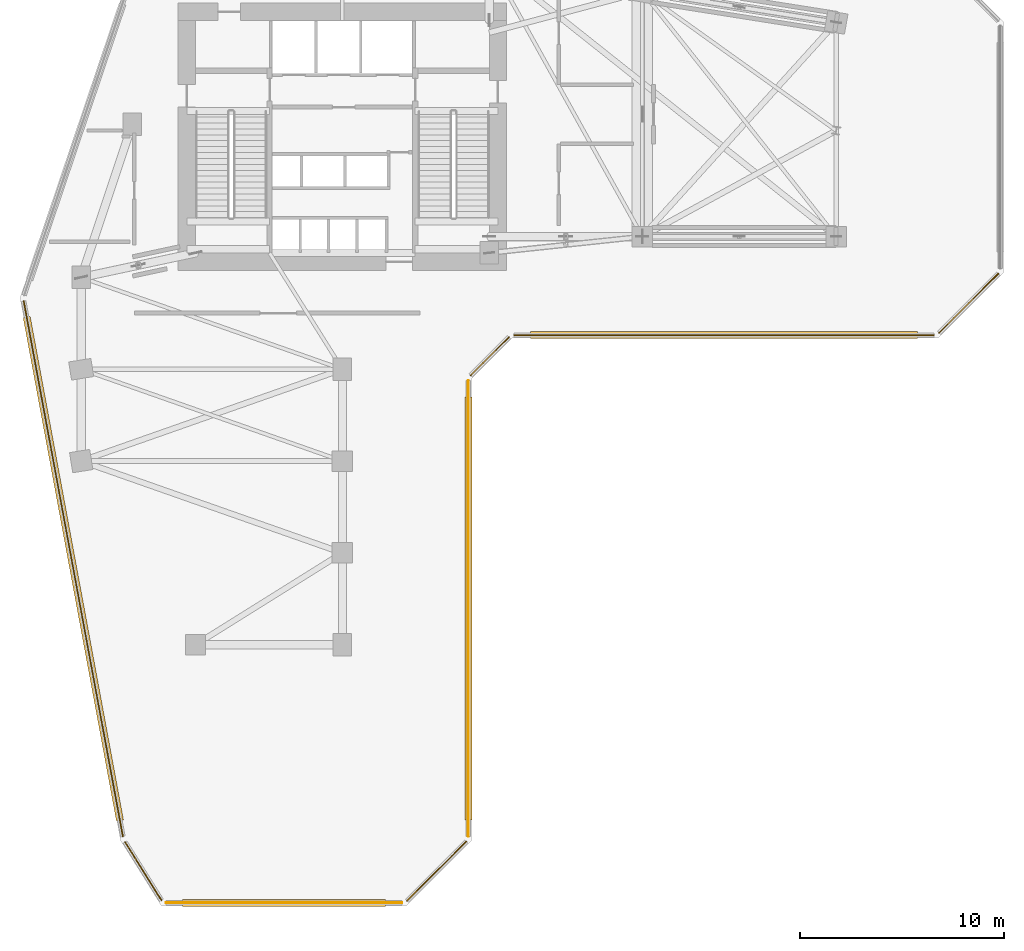
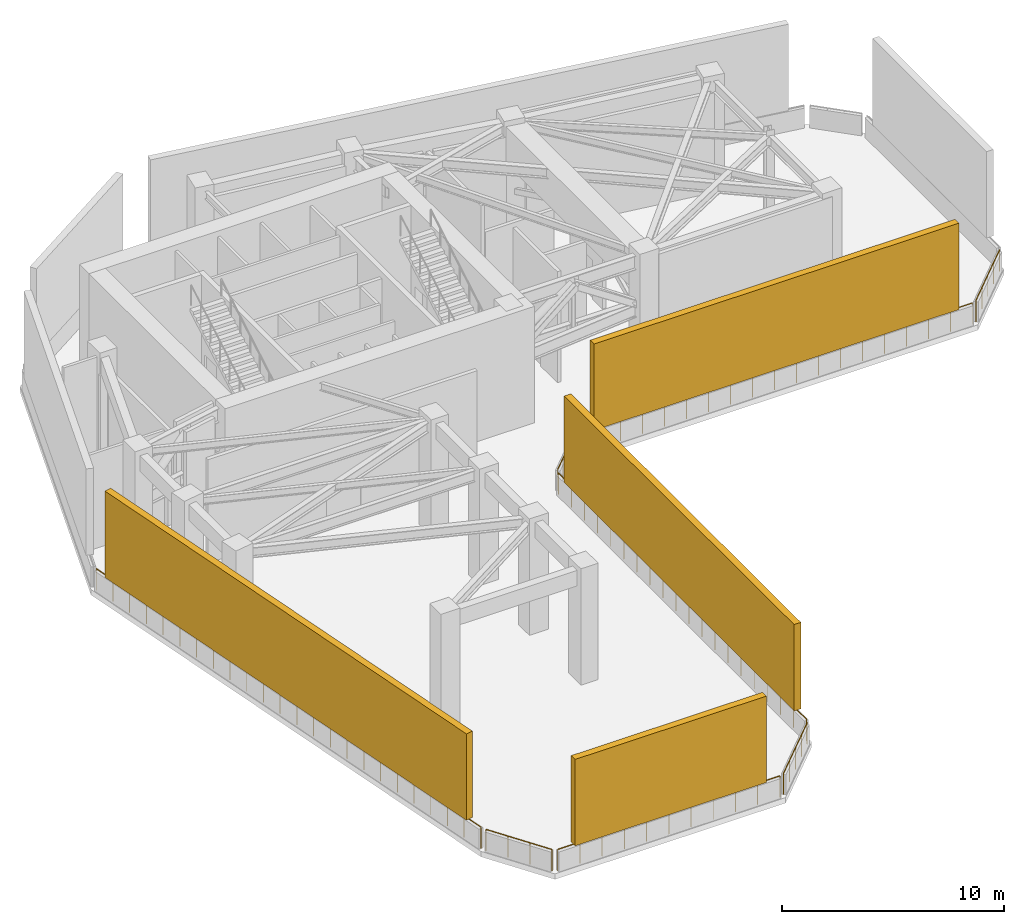
# One storey, part 8 of 10: 8 railings, 4 shading devices.
"""IFC4 building model written with IfcOpenShell, lengths in metres."""

from ifc_helpers import new_model, si_unit, direction, frame, frame_2d, origin, origin_2d, place, context, subcontext, project, spatial, rectangle, circle, extrude, material, type_object, element, save


model = new_model("IFC4")

# Units and contexts
model_context = context("Model", 3, precision=1e-05, world=origin(), true_north=direction((0.0, 1.0)))
body_context = subcontext(model_context, "Body", "Model", "MODEL_VIEW")
ifc_project = project(units=[si_unit("LENGTHUNIT", "METRE"), si_unit("AREAUNIT", "SQUARE_METRE"), si_unit("VOLUMEUNIT", "CUBIC_METRE"), si_unit("PLANEANGLEUNIT", "RADIAN"), si_unit("MASSUNIT", "GRAM", prefix="KILO")], contexts=[model_context])

# Site, building, storey
site_placement = place(None, origin())
site = spatial("IfcSite", under=ifc_project, at=site_placement, CompositionType="ELEMENT")
building_placement = place(site_placement, origin())
building = spatial("IfcBuilding", under=site, at=building_placement, Name="Calvemar Wedge Station Tower", CompositionType="ELEMENT")
storey_placement = place(building_placement, frame((0.0, 0.0, 99.0)))
storey = spatial("IfcBuildingStorey", under=building, at=storey_placement, Name="L24", CompositionType="ELEMENT", Elevation=99.0)

# Railings
ifc_material_1 = material(Name="Stainless steel AISI 316L", Category="steel")
railing_type = type_object("IfcRailingType", Name="GRD-WIND-1200", PredefinedType="GUARDRAIL", material=ifc_material_1)
railing_1_placement = place(storey_placement, frame((13.14990234375, 5.328125, 0.0)))
element("IfcRailing", 1, at=railing_1_placement, inside=storey, type_object=railing_type, Name="Wind Floor L24 Perimeter Safety Guard 1", PredefinedType="GUARDRAIL", context=body_context, shape_type="SweptSolid", body=[
    extrude(circle(Radius=0.02392578125, at=origin_2d()), frame((0.0, 0.0, 1.17578125), z_axis=(0.529992412204, -0.848002383845, 0.0), x_axis=(0.848002383845, 0.529992412204, 0.0)), (0.0, 0.0, 1.0), 3.36181640625),
    extrude(circle(Radius=0.02099609375, at=origin_2d()), origin(), (0.0, 0.0, 1.0), 1.15185546875),
    extrude(circle(Radius=0.02099609375, at=origin_2d()), frame((0.593994140625, -0.9501953125, 0.0)), (0.0, 0.0, 1.0), 1.15185546875),
    extrude(circle(Radius=0.02099609375, at=origin_2d()), frame((1.187744140625, -1.900634765625, 0.0)), (0.0, 0.0, 1.0), 1.15185546875),
    extrude(circle(Radius=0.02099609375, at=origin_2d()), frame((1.78173828125, -2.850830078125, 0.0)), (0.0, 0.0, 1.0), 1.15185546875),
])
railing_2_placement = place(storey_placement, frame((15.1611328125, 2.35009765625, 0.0)))
element("IfcRailing", 2, at=railing_2_placement, inside=storey, type_object=railing_type, Name="Wind Floor L24 Perimeter Safety Guard 2", PredefinedType="GUARDRAIL", context=body_context, shape_type="SweptSolid", body=[
    extrude(circle(Radius=0.02392578125, at=origin_2d()), frame((0.0, 0.0, 1.17578125), z_axis=(1.0, 0.0, 0.0), x_axis=(0.0, 1.0, 0.0)), (0.0, 0.0, 1.0), 11.5546875),
    extrude(circle(Radius=0.02099609375, at=origin_2d()), origin(), (0.0, 0.0, 1.0), 1.15185546875),
    extrude(circle(Radius=0.02099609375, at=origin_2d()), frame((1.155517578125, 0.0, 0.0)), (0.0, 0.0, 1.0), 1.15185546875),
    extrude(circle(Radius=0.02099609375, at=origin_2d()), frame((2.31103515625, 0.0, 0.0)), (0.0, 0.0, 1.0), 1.15185546875),
    extrude(circle(Radius=0.02099609375, at=origin_2d()), frame((3.46630859375, 0.0, 0.0)), (0.0, 0.0, 1.0), 1.15185546875),
    extrude(circle(Radius=0.02099609375, at=origin_2d()), frame((4.621826171875, 0.0, 0.0)), (0.0, 0.0, 1.0), 1.15185546875),
    extrude(circle(Radius=0.02099609375, at=origin_2d()), frame((5.77734375, 0.0, 0.0)), (0.0, 0.0, 1.0), 1.15185546875),
    extrude(circle(Radius=0.02099609375, at=origin_2d()), frame((6.932861328125, 0.0, 0.0)), (0.0, 0.0, 1.0), 1.15185546875),
    extrude(circle(Radius=0.02099609375, at=origin_2d()), frame((8.08837890625, 0.0, 0.0)), (0.0, 0.0, 1.0), 1.15185546875),
    extrude(circle(Radius=0.02099609375, at=origin_2d()), frame((9.24365234375, 0.0, 0.0)), (0.0, 0.0, 1.0), 1.15185546875),
    extrude(circle(Radius=0.02099609375, at=origin_2d()), frame((10.399169921875, 0.0, 0.0)), (0.0, 0.0, 1.0), 1.15185546875),
    extrude(circle(Radius=0.02099609375, at=origin_2d()), frame((11.5546875, 0.0, 0.0)), (0.0, 0.0, 1.0), 1.15185546875),
])
railing_3_placement = place(storey_placement, frame((26.971923828125, 2.4560546875, 0.0)))
element("IfcRailing", 3, at=railing_3_placement, inside=storey, type_object=railing_type, Name="Wind Floor L24 Perimeter Safety Guard 3", PredefinedType="GUARDRAIL", context=body_context, shape_type="SweptSolid", body=[
    extrude(circle(Radius=0.02392578125, at=origin_2d()), frame((0.0, 0.0, 1.17578125), z_axis=(0.707077016416, 0.707136544705, 0.0), x_axis=(-0.707136544705, 0.707077016416, 0.0)), (0.0, 0.0, 1.0), 4.101318359375),
    extrude(circle(Radius=0.02099609375, at=origin_2d()), origin(), (0.0, 0.0, 1.0), 1.15185546875),
    extrude(circle(Radius=0.02099609375, at=origin_2d()), frame((0.72509765625, 0.72509765625, 0.0)), (0.0, 0.0, 1.0), 1.15185546875),
    extrude(circle(Radius=0.02099609375, at=origin_2d()), frame((1.449951171875, 1.4501953125, 0.0)), (0.0, 0.0, 1.0), 1.15185546875),
    extrude(circle(Radius=0.02099609375, at=origin_2d()), frame((2.1748046875, 2.175048828125, 0.0)), (0.0, 0.0, 1.0), 1.15185546875),
    extrude(circle(Radius=0.02099609375, at=origin_2d()), frame((2.89990234375, 2.900146484375, 0.0)), (0.0, 0.0, 1.0), 1.15185546875),
])
railing_4_placement = place(storey_placement, frame((29.97802734375, 5.612060546875, 0.0)))
element("IfcRailing", 4, at=railing_4_placement, inside=storey, type_object=railing_type, Name="Wind Floor L24 Perimeter Safety Guard 4", PredefinedType="GUARDRAIL", context=body_context, shape_type="SweptSolid", body=[
    extrude(circle(Radius=0.02392578125, at=origin_2d()), frame((0.0, 0.0, 1.17578125), z_axis=(0.0, 1.0, 0.0), x_axis=(-1.0, 0.0, 0.0)), (0.0, 0.0, 1.0), 22.328125),
    extrude(circle(Radius=0.02099609375, at=origin_2d()), origin(), (0.0, 0.0, 1.0), 1.15185546875),
    extrude(circle(Radius=0.02099609375, at=origin_2d()), frame((0.0, 1.175048828125, 0.0)), (0.0, 0.0, 1.0), 1.15185546875),
    extrude(circle(Radius=0.02099609375, at=origin_2d()), frame((0.0, 2.350341796875, 0.0)), (0.0, 0.0, 1.0), 1.15185546875),
    extrude(circle(Radius=0.02099609375, at=origin_2d()), frame((0.0, 3.525390625, 0.0)), (0.0, 0.0, 1.0), 1.15185546875),
    extrude(circle(Radius=0.02099609375, at=origin_2d()), frame((0.0, 4.70068359375, 0.0)), (0.0, 0.0, 1.0), 1.15185546875),
    extrude(circle(Radius=0.02099609375, at=origin_2d()), frame((0.0, 5.875732421875, 0.0)), (0.0, 0.0, 1.0), 1.15185546875),
    extrude(circle(Radius=0.02099609375, at=origin_2d()), frame((0.0, 7.051025390625, 0.0)), (0.0, 0.0, 1.0), 1.15185546875),
    extrude(circle(Radius=0.02099609375, at=origin_2d()), frame((0.0, 8.22607421875, 0.0)), (0.0, 0.0, 1.0), 1.15185546875),
    extrude(circle(Radius=0.02099609375, at=origin_2d()), frame((0.0, 9.4013671875, 0.0)), (0.0, 0.0, 1.0), 1.15185546875),
    extrude(circle(Radius=0.02099609375, at=origin_2d()), frame((0.0, 10.576416015625, 0.0)), (0.0, 0.0, 1.0), 1.15185546875),
    extrude(circle(Radius=0.02099609375, at=origin_2d()), frame((0.0, 11.751708984375, 0.0)), (0.0, 0.0, 1.0), 1.15185546875),
    extrude(circle(Radius=0.02099609375, at=origin_2d()), frame((0.0, 12.9267578125, 0.0)), (0.0, 0.0, 1.0), 1.15185546875),
    extrude(circle(Radius=0.02099609375, at=origin_2d()), frame((0.0, 14.10205078125, 0.0)), (0.0, 0.0, 1.0), 1.15185546875),
    extrude(circle(Radius=0.02099609375, at=origin_2d()), frame((0.0, 15.277099609375, 0.0)), (0.0, 0.0, 1.0), 1.15185546875),
    extrude(circle(Radius=0.02099609375, at=origin_2d()), frame((0.0, 16.452392578125, 0.0)), (0.0, 0.0, 1.0), 1.15185546875),
    extrude(circle(Radius=0.02099609375, at=origin_2d()), frame((0.0, 17.62744140625, 0.0)), (0.0, 0.0, 1.0), 1.15185546875),
    extrude(circle(Radius=0.02099609375, at=origin_2d()), frame((0.0, 18.802734375, 0.0)), (0.0, 0.0, 1.0), 1.15185546875),
    extrude(circle(Radius=0.02099609375, at=origin_2d()), frame((0.0, 19.977783203125, 0.0)), (0.0, 0.0, 1.0), 1.15185546875),
    extrude(circle(Radius=0.02099609375, at=origin_2d()), frame((0.0, 21.153076171875, 0.0)), (0.0, 0.0, 1.0), 1.15185546875),
    extrude(circle(Radius=0.02099609375, at=origin_2d()), frame((0.0, 22.328125, 0.0)), (0.0, 0.0, 1.0), 1.15185546875),
])
railing_5_placement = place(storey_placement, frame((30.083984375, 28.1962890625, 0.0)))
element("IfcRailing", 5, at=railing_5_placement, inside=storey, type_object=railing_type, Name="Wind Floor L24 Perimeter Safety Guard 5", PredefinedType="GUARDRAIL", context=body_context, shape_type="SweptSolid", body=[
    extrude(circle(Radius=0.02392578125, at=origin_2d()), frame((0.0, 0.0, 1.17578125), z_axis=(0.707106781187, 0.707106781187, 0.0), x_axis=(-0.707106781187, 0.707106781187, 0.0)), (0.0, 0.0, 1.0), 2.652587890625),
    extrude(circle(Radius=0.02099609375, at=origin_2d()), origin(), (0.0, 0.0, 1.0), 1.15185546875),
    extrude(circle(Radius=0.02099609375, at=origin_2d()), frame((0.625244140625, 0.625244140625, 0.0)), (0.0, 0.0, 1.0), 1.15185546875),
    extrude(circle(Radius=0.02099609375, at=origin_2d()), frame((1.25048828125, 1.25048828125, 0.0)), (0.0, 0.0, 1.0), 1.15185546875),
    extrude(circle(Radius=0.02099609375, at=origin_2d()), frame((1.875732421875, 1.875732421875, 0.0)), (0.0, 0.0, 1.0), 1.15185546875),
])
railing_6_placement = place(storey_placement, frame((32.2158203125, 30.177978515625, 0.0)))
element("IfcRailing", 6, at=railing_6_placement, inside=storey, type_object=railing_type, Name="Wind Floor L24 Perimeter Safety Guard 6", PredefinedType="GUARDRAIL", context=body_context, shape_type="SweptSolid", body=[
    extrude(circle(Radius=0.02392578125, at=origin_2d()), frame((0.0, 0.0, 1.17578125), z_axis=(1.0, 0.0, 0.0), x_axis=(0.0, 1.0, 0.0)), (0.0, 0.0, 1.0), 20.572021484375),
    extrude(circle(Radius=0.02099609375, at=origin_2d()), origin(), (0.0, 0.0, 1.0), 1.15185546875),
    extrude(circle(Radius=0.02099609375, at=origin_2d()), frame((1.142822265625, 0.0, 0.0)), (0.0, 0.0, 1.0), 1.15185546875),
    extrude(circle(Radius=0.02099609375, at=origin_2d()), frame((2.285888671875, 0.0, 0.0)), (0.0, 0.0, 1.0), 1.15185546875),
    extrude(circle(Radius=0.02099609375, at=origin_2d()), frame((3.4287109375, 0.0, 0.0)), (0.0, 0.0, 1.0), 1.15185546875),
    extrude(circle(Radius=0.02099609375, at=origin_2d()), frame((4.571533203125, 0.0, 0.0)), (0.0, 0.0, 1.0), 1.15185546875),
    extrude(circle(Radius=0.02099609375, at=origin_2d()), frame((5.71435546875, 0.0, 0.0)), (0.0, 0.0, 1.0), 1.15185546875),
    extrude(circle(Radius=0.02099609375, at=origin_2d()), frame((6.857421875, 0.0, 0.0)), (0.0, 0.0, 1.0), 1.15185546875),
    extrude(circle(Radius=0.02099609375, at=origin_2d()), frame((8.000244140625, 0.0, 0.0)), (0.0, 0.0, 1.0), 1.15185546875),
    extrude(circle(Radius=0.02099609375, at=origin_2d()), frame((9.14306640625, 0.0, 0.0)), (0.0, 0.0, 1.0), 1.15185546875),
    extrude(circle(Radius=0.02099609375, at=origin_2d()), frame((10.2861328125, 0.0, 0.0)), (0.0, 0.0, 1.0), 1.15185546875),
    extrude(circle(Radius=0.02099609375, at=origin_2d()), frame((11.428955078125, 0.0, 0.0)), (0.0, 0.0, 1.0), 1.15185546875),
    extrude(circle(Radius=0.02099609375, at=origin_2d()), frame((12.57177734375, 0.0, 0.0)), (0.0, 0.0, 1.0), 1.15185546875),
    extrude(circle(Radius=0.02099609375, at=origin_2d()), frame((13.714599609375, 0.0, 0.0)), (0.0, 0.0, 1.0), 1.15185546875),
    extrude(circle(Radius=0.02099609375, at=origin_2d()), frame((14.857666015625, 0.0, 0.0)), (0.0, 0.0, 1.0), 1.15185546875),
    extrude(circle(Radius=0.02099609375, at=origin_2d()), frame((16.00048828125, 0.0, 0.0)), (0.0, 0.0, 1.0), 1.15185546875),
    extrude(circle(Radius=0.02099609375, at=origin_2d()), frame((17.143310546875, 0.0, 0.0)), (0.0, 0.0, 1.0), 1.15185546875),
    extrude(circle(Radius=0.02099609375, at=origin_2d()), frame((18.2861328125, 0.0, 0.0)), (0.0, 0.0, 1.0), 1.15185546875),
    extrude(circle(Radius=0.02099609375, at=origin_2d()), frame((19.42919921875, 0.0, 0.0)), (0.0, 0.0, 1.0), 1.15185546875),
    extrude(circle(Radius=0.02099609375, at=origin_2d()), frame((20.572021484375, 0.0, 0.0)), (0.0, 0.0, 1.0), 1.15185546875),
])
railing_7_placement = place(storey_placement, frame((53.0439453125, 30.2841796875, 0.0)))
element("IfcRailing", 7, at=railing_7_placement, inside=storey, type_object=railing_type, Name="Wind Floor L24 Perimeter Safety Guard 7", PredefinedType="GUARDRAIL", context=body_context, shape_type="SweptSolid", body=[
    extrude(circle(Radius=0.02392578125, at=origin_2d()), frame((0.0, 0.0, 1.17578125), z_axis=(0.707106781187, 0.707106781187, 0.0), x_axis=(-0.707106781187, 0.707106781187, 0.0)), (0.0, 0.0, 1.0), 4.10107421875),
    extrude(circle(Radius=0.02099609375, at=origin_2d()), origin(), (0.0, 0.0, 1.0), 1.15185546875),
    extrude(circle(Radius=0.02099609375, at=origin_2d()), frame((0.72509765625, 0.72509765625, 0.0)), (0.0, 0.0, 1.0), 1.15185546875),
    extrude(circle(Radius=0.02099609375, at=origin_2d()), frame((1.449951171875, 1.449951171875, 0.0)), (0.0, 0.0, 1.0), 1.15185546875),
    extrude(circle(Radius=0.02099609375, at=origin_2d()), frame((2.1748046875, 2.1748046875, 0.0)), (0.0, 0.0, 1.0), 1.15185546875),
    extrude(circle(Radius=0.02099609375, at=origin_2d()), frame((2.89990234375, 2.89990234375, 0.0)), (0.0, 0.0, 1.0), 1.15185546875),
])
railing_8_placement = place(storey_placement, frame((8.181884765625, 31.841552734375, 0.0)))
element("IfcRailing", 8, at=railing_8_placement, inside=storey, type_object=railing_type, Name="Wind Floor L24 Perimeter Safety Guard 13", PredefinedType="GUARDRAIL", context=body_context, shape_type="SweptSolid", body=[
    extrude(circle(Radius=0.02392578125, at=origin_2d()), frame((0.0, 0.0, 1.17578125), z_axis=(0.182163627793, -0.983268230296, 0.0), x_axis=(0.983268230296, 0.182163627793, 0.0)), (0.0, 0.0, 1.0), 26.685302734375),
    extrude(circle(Radius=0.02099609375, at=origin_2d()), origin(), (0.0, 0.0, 1.0), 1.15185546875),
    extrude(circle(Radius=0.02099609375, at=origin_2d()), frame((0.21142578125, -1.140869140625, 0.0)), (0.0, 0.0, 1.0), 1.15185546875),
    extrude(circle(Radius=0.02099609375, at=origin_2d()), frame((0.422607421875, -2.28173828125, 0.0)), (0.0, 0.0, 1.0), 1.15185546875),
    extrude(circle(Radius=0.02099609375, at=origin_2d()), frame((0.634033203125, -3.42236328125, 0.0)), (0.0, 0.0, 1.0), 1.15185546875),
    extrude(circle(Radius=0.02099609375, at=origin_2d()), frame((0.845458984375, -4.563232421875, 0.0)), (0.0, 0.0, 1.0), 1.15185546875),
    extrude(circle(Radius=0.02099609375, at=origin_2d()), frame((1.056640625, -5.7041015625, 0.0)), (0.0, 0.0, 1.0), 1.15185546875),
    extrude(circle(Radius=0.02099609375, at=origin_2d()), frame((1.26806640625, -6.844970703125, 0.0)), (0.0, 0.0, 1.0), 1.15185546875),
    extrude(circle(Radius=0.02099609375, at=origin_2d()), frame((1.4794921875, -7.985595703125, 0.0)), (0.0, 0.0, 1.0), 1.15185546875),
    extrude(circle(Radius=0.02099609375, at=origin_2d()), frame((1.69091796875, -9.12646484375, 0.0)), (0.0, 0.0, 1.0), 1.15185546875),
    extrude(circle(Radius=0.02099609375, at=origin_2d()), frame((1.902099609375, -10.267333984375, 0.0)), (0.0, 0.0, 1.0), 1.15185546875),
    extrude(circle(Radius=0.02099609375, at=origin_2d()), frame((2.113525390625, -11.408203125, 0.0)), (0.0, 0.0, 1.0), 1.15185546875),
    extrude(circle(Radius=0.02099609375, at=origin_2d()), frame((2.324951171875, -12.549072265625, 0.0)), (0.0, 0.0, 1.0), 1.15185546875),
    extrude(circle(Radius=0.02099609375, at=origin_2d()), frame((2.5361328125, -13.689697265625, 0.0)), (0.0, 0.0, 1.0), 1.15185546875),
    extrude(circle(Radius=0.02099609375, at=origin_2d()), frame((2.74755859375, -14.83056640625, 0.0)), (0.0, 0.0, 1.0), 1.15185546875),
    extrude(circle(Radius=0.02099609375, at=origin_2d()), frame((2.958984375, -15.971435546875, 0.0)), (0.0, 0.0, 1.0), 1.15185546875),
    extrude(circle(Radius=0.02099609375, at=origin_2d()), frame((3.170166015625, -17.1123046875, 0.0)), (0.0, 0.0, 1.0), 1.15185546875),
    extrude(circle(Radius=0.02099609375, at=origin_2d()), frame((3.381591796875, -18.253173828125, 0.0)), (0.0, 0.0, 1.0), 1.15185546875),
    extrude(circle(Radius=0.02099609375, at=origin_2d()), frame((3.593017578125, -19.393798828125, 0.0)), (0.0, 0.0, 1.0), 1.15185546875),
    extrude(circle(Radius=0.02099609375, at=origin_2d()), frame((3.804443359375, -20.53466796875, 0.0)), (0.0, 0.0, 1.0), 1.15185546875),
    extrude(circle(Radius=0.02099609375, at=origin_2d()), frame((4.015625, -21.675537109375, 0.0)), (0.0, 0.0, 1.0), 1.15185546875),
    extrude(circle(Radius=0.02099609375, at=origin_2d()), frame((4.22705078125, -22.81640625, 0.0)), (0.0, 0.0, 1.0), 1.15185546875),
    extrude(circle(Radius=0.02099609375, at=origin_2d()), frame((4.4384765625, -23.95703125, 0.0)), (0.0, 0.0, 1.0), 1.15185546875),
    extrude(circle(Radius=0.02099609375, at=origin_2d()), frame((4.649658203125, -25.097900390625, 0.0)), (0.0, 0.0, 1.0), 1.15185546875),
    extrude(circle(Radius=0.02099609375, at=origin_2d()), frame((4.861083984375, -26.23876953125, 0.0)), (0.0, 0.0, 1.0), 1.15185546875),
])

# Shading devices
ifc_material_2 = material(Name="Anodised aluminium 6063-T6", Category="aluminium")
shading_device_type = type_object("IfcShadingDeviceType", Name="SHD-LOUVRE-1", PredefinedType="JALOUSIE", material=ifc_material_2)
shading_device_1_placement = place(storey_placement, frame((15.961181640625, 2.35009765625, 1.199951171875), z_axis=(0.0, 0.0, 1.0), x_axis=(1.0, 0.0, 0.0)))
element("IfcShadingDevice", 9, at=shading_device_1_placement, inside=storey, type_object=shading_device_type, Name="Wind Floor L24 Jalousie Intake Louvre 2", PredefinedType="JALOUSIE", context=body_context, shape_type="SweptSolid", body=[
    extrude(rectangle(XDim=9.954833984375, YDim=0.35009765625, at=frame_2d((4.9775390625, 0.0))), origin(), (0.0, 0.0, 1.0), 4.75),
])
shading_device_2_placement = place(storey_placement, frame((29.97802734375, 6.412109375, 1.199951171875), z_axis=(0.0, 0.0, 1.0), x_axis=(0.0, 1.0, 0.0)))
element("IfcShadingDevice", 10, at=shading_device_2_placement, inside=storey, type_object=shading_device_type, Name="Wind Floor L24 Jalousie Intake Louvre 4", PredefinedType="JALOUSIE", context=body_context, shape_type="SweptSolid", body=[
    extrude(rectangle(XDim=20.72802734375, YDim=0.35009765625, at=frame_2d((10.364013671875, 0.0))), origin(), (0.0, 0.0, 1.0), 4.75),
])
shading_device_3_placement = place(storey_placement, frame((33.015869140625, 30.177978515625, 1.199951171875), z_axis=(0.0, 0.0, 1.0), x_axis=(1.0, 0.0, 0.0)))
element("IfcShadingDevice", 11, at=shading_device_3_placement, inside=storey, type_object=shading_device_type, Name="Wind Floor L24 Jalousie Intake Louvre 6", PredefinedType="JALOUSIE", context=body_context, shape_type="SweptSolid", body=[
    extrude(rectangle(XDim=18.971923828125, YDim=0.35009765625, at=frame_2d((9.48583984375, 0.0))), origin(), (0.0, 0.0, 1.0), 4.75),
])
shading_device_4_placement = place(storey_placement, frame((8.32763671875, 31.054931640625, 1.199951171875), z_axis=(0.0, 0.0, 1.0), x_axis=(0.182162098097, -0.983268513691, 0.0)))
element("IfcShadingDevice", 12, at=shading_device_4_placement, inside=storey, type_object=shading_device_type, Name="Wind Floor L24 Jalousie Intake Louvre 13", PredefinedType="JALOUSIE", context=body_context, shape_type="SweptSolid", body=[
    extrude(rectangle(XDim=25.085205078125, YDim=0.35009765625, at=frame_2d((12.54248046875, 0.0))), origin(), (0.0, 0.0, 1.0), 4.75),
])

save(model, "model.ifc")
